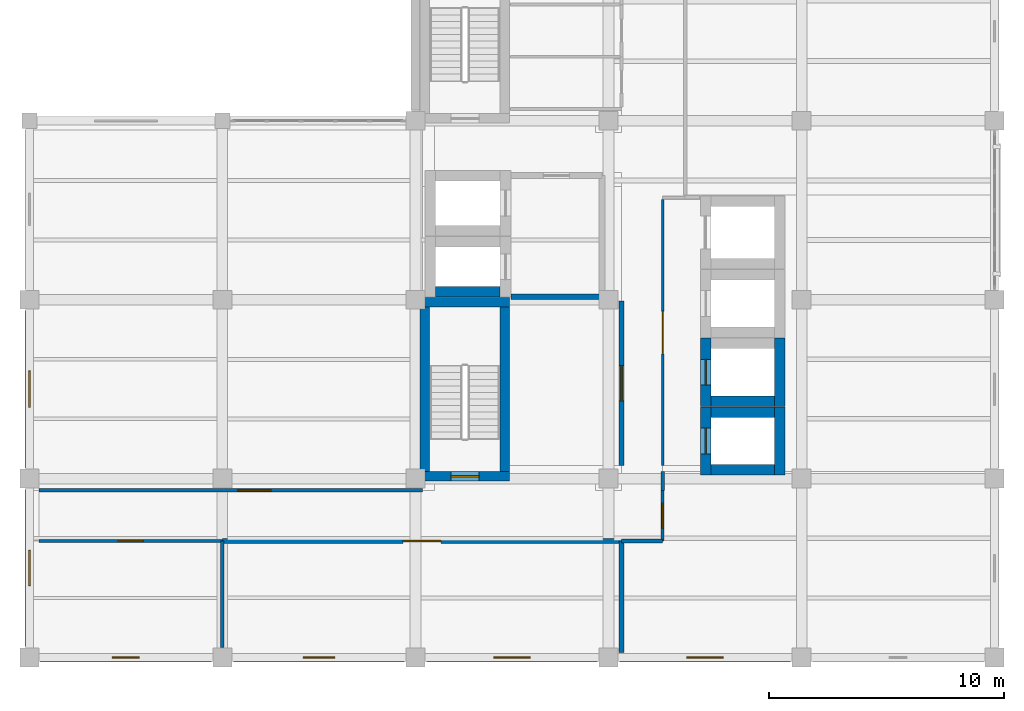
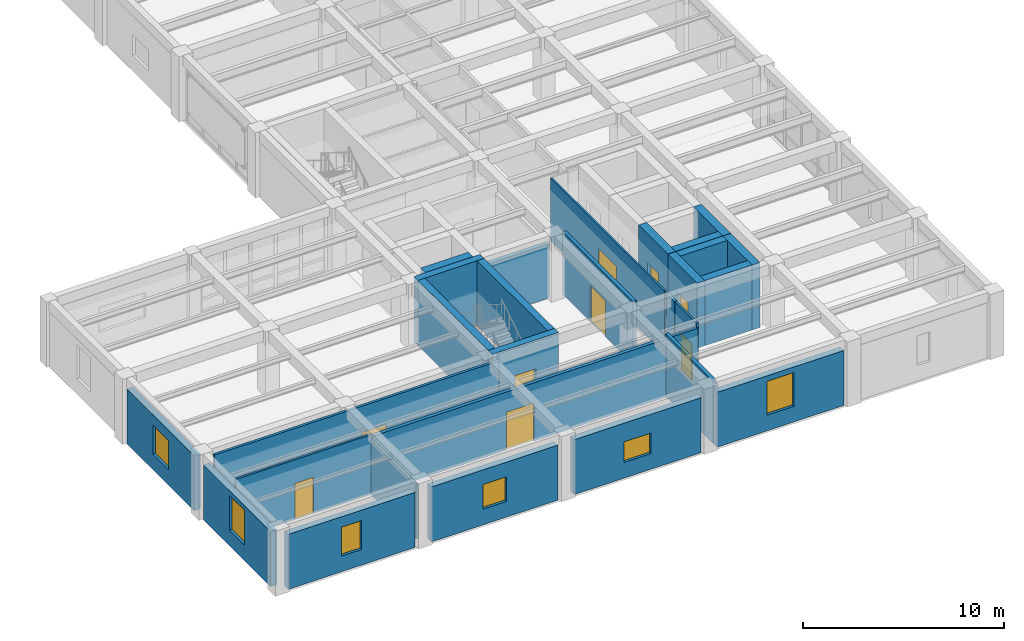
# One storey, part 7 of 13: 29 walls, 9 doors, 6 windows, 15 openings.
"""IFC4 building model written with IfcOpenShell, lengths in metres."""

from ifc_helpers import new_model, si_unit, direction, frame, frame_2d, origin, place, context, subcontext, project, spatial, rectangle, extrude, material, layer, layer_set, type_object, element, fill, save


model = new_model("IFC4")

# Units and contexts
model_context = context("Model", 3, precision=1e-05, world=origin(), true_north=direction((0.0, 1.0)))
body_context = subcontext(model_context, "Body", "Model", "MODEL_VIEW")
ifc_project = project(units=[si_unit("LENGTHUNIT", "METRE"), si_unit("AREAUNIT", "SQUARE_METRE"), si_unit("VOLUMEUNIT", "CUBIC_METRE"), si_unit("PLANEANGLEUNIT", "RADIAN"), si_unit("MASSUNIT", "GRAM", prefix="KILO")], contexts=[model_context])

# Site, building, storey
site_placement = place(None, origin())
site = spatial("IfcSite", under=ifc_project, at=site_placement, CompositionType="ELEMENT")
building_placement = place(site_placement, origin())
building = spatial("IfcBuilding", under=site, at=building_placement, Name="Qandaris Square Conservatory and Botanical Centre", CompositionType="ELEMENT")
storey_placement = place(building_placement, frame((0.0, 0.0, 45.0)))
storey = spatial("IfcBuildingStorey", under=building, at=storey_placement, Name="L10", CompositionType="ELEMENT", Elevation=45.0)

# Walls
ifc_material_1 = material(Name="Gypsum Plasterboard", Category="gypsum")
ifc_layer_1 = layer(ifc_material_1, 0.14990234375)
ifc_layer_set_1 = layer_set([ifc_layer_1], Name="Gypsum Plasterboard")
wall_type_1 = type_object("IfcWallType", Name="Acoustic Laboratory Partition 150mm", PredefinedType="PARTITIONING", material=ifc_layer_set_1)
wall_1_placement = place(storey_placement, frame((149.699951171875, 24.5, 0.0), z_axis=(0.0, 0.0, 1.0), x_axis=(0.0, -1.0, 0.0)))
element("IfcWall", 1, at=wall_1_placement, inside=storey, type_object=wall_type_1, Name="Interior Partition IW-L10-0353", PredefinedType="PARTITIONING", context=body_context, shape_type="SweptSolid", body=[
    extrude(rectangle(XDim=0.800048828125, YDim=0.14990234375, at=frame_2d((0.39990234375, 0.0))), origin(), (0.0, 0.0, 1.0), 3.804931640625),
])
wall_2_placement = place(storey_placement, frame((149.699951171875, 21.550048828125, 0.0), z_axis=(0.0, 0.0, 1.0), x_axis=(-1.0, 0.0, 0.0)))
element("IfcWall", 2, at=wall_2_placement, inside=storey, type_object=wall_type_1, Name="Interior Partition IW-L10-0355", PredefinedType="PARTITIONING", context=body_context, shape_type="SweptSolid", body=[
    extrude(rectangle(XDim=1.75, YDim=0.14990234375, at=frame_2d((0.875, 0.0))), origin(), (0.0, 0.0, 1.0), 3.52490234375),
])

# Wall, opening, door
wall_3_placement = place(storey_placement, frame((123.199951171875, 23.699951171875, 0.0), z_axis=(0.0, 0.0, 1.0), x_axis=(1.0, 0.0, 0.0)))
wall_3 = element("IfcWall", 3, at=wall_3_placement, inside=storey, type_object=wall_type_1, Name="Interior Partition IW-L10-0360", PredefinedType="PARTITIONING", context=body_context, shape_type="SweptSolid", body=[
    extrude(rectangle(XDim=16.300048828125, YDim=0.14990234375, at=frame_2d((8.14990234375, 0.0))), origin(), (0.0, 0.0, 1.0), 3.804931640625),
])
opening_1_placement = place(wall_3_placement, frame((8.452880859375, 0.0, 0.0)))
opening_1 = element("IfcOpeningElement", 4, at=opening_1_placement, cuts=wall_3, Name="Opening D-LAB1", PredefinedType="OPENING", context=body_context, shape_type="SweptSolid", body=[
    extrude(rectangle(XDim=1.39990234375, YDim=2.199951171875, at=frame_2d((0.699951171875, 1.10009765625))), frame((0.0, 0.0869140625, 0.0), z_axis=(0.0, -1.0, 0.0), x_axis=(1.0, 0.0, 0.0)), (0.0, 0.0, 1.0), 0.173828125),
])
ifc_material_2 = material(Name="Engineered Oak Timber", Category="wood")
door_type_1 = type_object("IfcDoorType", Name="Research Laboratory Leaf-and-Half Door 1400x2200", OperationType="DOUBLE_DOOR_SINGLE_SWING", PredefinedType="DOOR", material=ifc_material_2)
door_1_placement = place(opening_1_placement, frame((1.39990234375, 0.0, 0.0), z_axis=(0.0, 0.0, 1.0), x_axis=(-1.0, 0.0, 0.0)))
door_1 = element("IfcDoor", 5, at=door_1_placement, inside=storey, type_object=door_type_1, Name="DR-0320 Quantitative Ecology Research Laboratory Door", OperationType="DOUBLE_DOOR_SINGLE_SWING", OverallHeight=2.199951171875, OverallWidth=1.39990234375, PredefinedType="DOOR", context=body_context, shape_type="SweptSolid", body=[
    extrude(rectangle(XDim=1.39990234375, YDim=2.199951171875, at=frame_2d((0.699951171875, 1.10009765625))), frame((0.0, 0.02490234375, 0.0), z_axis=(0.0, -1.0, 0.0), x_axis=(1.0, 0.0, 0.0)), (0.0, 0.0, 1.0), 0.050048828125),
])
fill(opening_1, door_1)

# Wall
wall_4_placement = place(storey_placement, frame((131.0, 21.550048828125, 0.0), z_axis=(0.0, 0.0, 1.0), x_axis=(0.0, -1.0, 0.0)))
element("IfcWall", 6, at=wall_4_placement, inside=storey, type_object=wall_type_1, Name="Interior Partition IW-L10-0361", PredefinedType="PARTITIONING", context=body_context, shape_type="SweptSolid", body=[
    extrude(rectangle(XDim=4.530029296875, YDim=0.14990234375, at=frame_2d((2.26513671875, 0.0))), origin(), (0.0, 0.0, 1.0), 3.284912109375),
])

# Wall, opening, window
ifc_material_3 = material(Name="Precast concrete C40/50", Category="concrete")
ifc_layer_2 = layer(ifc_material_3, 0.360107421875)
ifc_layer_set_2 = layer_set([ifc_layer_2], Name="Precast concrete C40/50")
wall_type_2 = type_object("IfcWallType", Name="Architectural Precast Cladding Wall 360mm", PredefinedType="SOLIDWALL", material=ifc_layer_set_2)
wall_5_placement = place(storey_placement, frame((123.260009765625, 16.60009765625, 0.0), z_axis=(0.0, 0.0, 1.0), x_axis=(1.0, 0.0, 0.0)))
wall_5 = element("IfcWall", 7, at=wall_5_placement, inside=storey, type_object=wall_type_2, Name="Exterior Wall EW-TWR-L10-1-1", PredefinedType="SOLIDWALL", context=body_context, shape_type="SweptSolid", body=[
    extrude(rectangle(XDim=7.280029296875, YDim=0.360107421875, at=frame_2d((3.64013671875, 0.0))), origin(), (0.0, 0.0, 1.0), 3.3349609375),
])
opening_2_placement = place(wall_5_placement, frame((3.06494140625, 0.0, 0.949951171875)))
opening_2 = element("IfcOpeningElement", 8, at=opening_2_placement, cuts=wall_5, Name="Opening WN-19", PredefinedType="OPENING", context=body_context, shape_type="SweptSolid", body=[
    extrude(rectangle(XDim=1.14990234375, YDim=1.75, at=frame_2d((0.574951171875, 0.875))), frame((0.0, 0.19189453125, 0.0), z_axis=(0.0, -1.0, 0.0), x_axis=(1.0, 0.0, 0.0)), (0.0, 0.0, 1.0), 0.384033203125),
])
ifc_material_4 = material(Name="Tempered Low-E Glass", Category="glass")
window_type_1 = type_object("IfcWindowType", Name="Solar Control Window 1150x1750", PartitioningType="SINGLE_PANEL", PredefinedType="WINDOW", material=ifc_material_4)
window_1_placement = place(opening_2_placement, origin())
window_1 = element("IfcWindow", 9, at=window_1_placement, inside=storey, type_object=window_type_1, Name="Window EW-TWR-L10-1-1", OverallHeight=1.75, OverallWidth=1.14990234375, PartitioningType="SINGLE_PANEL", PredefinedType="WINDOW", context=body_context, shape_type="SweptSolid", body=[
    extrude(rectangle(XDim=1.14990234375, YDim=1.75, at=frame_2d((0.574951171875, 0.875))), frame((0.0, 0.030029296875, 0.0), z_axis=(0.0, -1.0, 0.0), x_axis=(1.0, 0.0, 0.0)), (0.0, 0.0, 1.0), 0.06005859375),
])
fill(opening_2, window_1)

wall_6_placement = place(storey_placement, frame((131.4599609375, 16.60009765625, 0.0), z_axis=(0.0, 0.0, 1.0), x_axis=(1.0, 0.0, 0.0)))
wall_6 = element("IfcWall", 10, at=wall_6_placement, inside=storey, type_object=wall_type_2, Name="Exterior Wall EW-TWR-L10-1-2", PredefinedType="SOLIDWALL", context=body_context, shape_type="SweptSolid", body=[
    extrude(rectangle(XDim=7.280029296875, YDim=0.360107421875, at=frame_2d((3.64013671875, 0.0))), origin(), (0.0, 0.0, 1.0), 3.3349609375),
])
opening_3_placement = place(wall_6_placement, frame((2.965087890625, 0.0, 0.949951171875)))
opening_3 = element("IfcOpeningElement", 11, at=opening_3_placement, cuts=wall_6, Name="Opening WN-22", PredefinedType="OPENING", context=body_context, shape_type="SweptSolid", body=[
    extrude(rectangle(XDim=1.35009765625, YDim=1.5, at=frame_2d((0.675048828125, 0.75))), frame((0.0, 0.19189453125, 0.0), z_axis=(0.0, -1.0, 0.0), x_axis=(1.0, 0.0, 0.0)), (0.0, 0.0, 1.0), 0.384033203125),
])
window_type_2 = type_object("IfcWindowType", Name="Solar Control Window 1350x1500", PartitioningType="SINGLE_PANEL", PredefinedType="WINDOW", material=ifc_material_4)
window_2_placement = place(opening_3_placement, origin())
window_2 = element("IfcWindow", 12, at=window_2_placement, inside=storey, type_object=window_type_2, Name="Window EW-TWR-L10-1-2", OverallHeight=1.5, OverallWidth=1.35009765625, PartitioningType="SINGLE_PANEL", PredefinedType="WINDOW", context=body_context, shape_type="SweptSolid", body=[
    extrude(rectangle(XDim=1.35009765625, YDim=1.5, at=frame_2d((0.675048828125, 0.75))), frame((0.0, 0.030029296875, 0.0), z_axis=(0.0, -1.0, 0.0), x_axis=(1.0, 0.0, 0.0)), (0.0, 0.0, 1.0), 0.06005859375),
])
fill(opening_3, window_2)

wall_7_placement = place(storey_placement, frame((139.659912109375, 16.60009765625, 0.0), z_axis=(0.0, 0.0, 1.0), x_axis=(1.0, 0.0, 0.0)))
wall_7 = element("IfcWall", 13, at=wall_7_placement, inside=storey, type_object=wall_type_2, Name="Exterior Wall EW-TWR-L10-1-3", PredefinedType="SOLIDWALL", context=body_context, shape_type="SweptSolid", body=[
    extrude(rectangle(XDim=7.280029296875, YDim=0.360107421875, at=frame_2d((3.64013671875, 0.0))), origin(), (0.0, 0.0, 1.0), 3.3349609375),
])
opening_4_placement = place(wall_7_placement, frame((2.864990234375, 0.0, 0.949951171875)))
opening_4 = element("IfcOpeningElement", 14, at=opening_4_placement, cuts=wall_7, Name="Opening WN-25", PredefinedType="OPENING", context=body_context, shape_type="SweptSolid", body=[
    extrude(rectangle(XDim=1.550048828125, YDim=1.25, at=frame_2d((0.77490234375, 0.625))), frame((0.0, 0.19189453125, 0.0), z_axis=(0.0, -1.0, 0.0), x_axis=(1.0, 0.0, 0.0)), (0.0, 0.0, 1.0), 0.384033203125),
])
window_type_3 = type_object("IfcWindowType", Name="Solar Control Window 1550x1250", PartitioningType="DOUBLE_PANEL_VERTICAL", PredefinedType="WINDOW", material=ifc_material_4)
window_3_placement = place(opening_4_placement, origin())
window_3 = element("IfcWindow", 15, at=window_3_placement, inside=storey, type_object=window_type_3, Name="Window EW-TWR-L10-1-3", OverallHeight=1.25, OverallWidth=1.550048828125, PartitioningType="DOUBLE_PANEL_VERTICAL", PredefinedType="WINDOW", context=body_context, shape_type="SweptSolid", body=[
    extrude(rectangle(XDim=1.550048828125, YDim=1.25, at=frame_2d((0.77490234375, 0.625))), frame((0.0, 0.030029296875, 0.0), z_axis=(0.0, -1.0, 0.0), x_axis=(1.0, 0.0, 0.0)), (0.0, 0.0, 1.0), 0.06005859375),
])
fill(opening_4, window_3)

wall_8_placement = place(storey_placement, frame((147.860107421875, 16.60009765625, 0.0), z_axis=(0.0, 0.0, 1.0), x_axis=(1.0, 0.0, 0.0)))
wall_8 = element("IfcWall", 16, at=wall_8_placement, inside=storey, type_object=wall_type_2, Name="Exterior Wall EW-TWR-L10-1-4", PredefinedType="SOLIDWALL", context=body_context, shape_type="SweptSolid", body=[
    extrude(rectangle(XDim=7.27978515625, YDim=0.360107421875, at=frame_2d((3.639892578125, 0.0))), origin(), (0.0, 0.0, 1.0), 3.3349609375),
])
opening_5_placement = place(wall_8_placement, frame((2.864990234375, 0.0, 0.949951171875)))
opening_5 = element("IfcOpeningElement", 17, at=opening_5_placement, cuts=wall_8, Name="Opening WN-28", PredefinedType="OPENING", context=body_context, shape_type="SweptSolid", body=[
    extrude(rectangle(XDim=1.550048828125, YDim=2.050048828125, at=frame_2d((0.77490234375, 1.02490234375))), frame((0.0, 0.19189453125, 0.0), z_axis=(0.0, -1.0, 0.0), x_axis=(1.0, 0.0, 0.0)), (0.0, 0.0, 1.0), 0.384033203125),
])
window_type_4 = type_object("IfcWindowType", Name="Solar Control Window 1550x2050", PartitioningType="DOUBLE_PANEL_VERTICAL", PredefinedType="WINDOW", material=ifc_material_4)
window_4_placement = place(opening_5_placement, origin())
window_4 = element("IfcWindow", 18, at=window_4_placement, inside=storey, type_object=window_type_4, Name="Window EW-TWR-L10-1-4", OverallHeight=2.050048828125, OverallWidth=1.550048828125, PartitioningType="DOUBLE_PANEL_VERTICAL", PredefinedType="WINDOW", context=body_context, shape_type="SweptSolid", body=[
    extrude(rectangle(XDim=1.550048828125, YDim=2.050048828125, at=frame_2d((0.77490234375, 1.02490234375))), frame((0.0, 0.030029296875, 0.0), z_axis=(0.0, -1.0, 0.0), x_axis=(1.0, 0.0, 0.0)), (0.0, 0.0, 1.0), 0.06005859375),
])
fill(opening_5, window_4)

wall_9_placement = place(storey_placement, frame((122.800048828125, 31.340087890625, 0.0), z_axis=(0.0, 0.0, 1.0), x_axis=(0.0, -1.0, 0.0)))
wall_9 = element("IfcWall", 19, at=wall_9_placement, inside=storey, type_object=wall_type_2, Name="Exterior Wall EW-TWR-L10-6-2", PredefinedType="SOLIDWALL", context=body_context, shape_type="SweptSolid", body=[
    extrude(rectangle(XDim=6.68017578125, YDim=0.360107421875, at=frame_2d((3.340087890625, 0.0))), origin(), (0.0, 0.0, 1.0), 3.3349609375),
])
opening_6_placement = place(wall_9_placement, frame((2.56494140625, 0.0, 0.949951171875)))
opening_6 = element("IfcOpeningElement", 20, at=opening_6_placement, cuts=wall_9, Name="Opening WN-27", PredefinedType="OPENING", context=body_context, shape_type="SweptSolid", body=[
    extrude(rectangle(XDim=1.550048828125, YDim=1.75, at=frame_2d((0.77490234375, 0.875))), frame((0.0, 0.19189453125, 0.0), z_axis=(0.0, -1.0, 0.0), x_axis=(1.0, 0.0, 0.0)), (0.0, 0.0, 1.0), 0.384033203125),
])
window_type_5 = type_object("IfcWindowType", Name="Solar Control Window 1550x1750", PartitioningType="DOUBLE_PANEL_VERTICAL", PredefinedType="WINDOW", material=ifc_material_4)
window_5_placement = place(opening_6_placement, origin())
window_5 = element("IfcWindow", 21, at=window_5_placement, inside=storey, type_object=window_type_5, Name="Window EW-TWR-L10-6-2", OverallHeight=1.75, OverallWidth=1.550048828125, PartitioningType="DOUBLE_PANEL_VERTICAL", PredefinedType="WINDOW", context=body_context, shape_type="SweptSolid", body=[
    extrude(rectangle(XDim=1.550048828125, YDim=1.75, at=frame_2d((0.77490234375, 0.875))), frame((0.0, 0.030029296875, 0.0), z_axis=(0.0, -1.0, 0.0), x_axis=(1.0, 0.0, 0.0)), (0.0, 0.0, 1.0), 0.06005859375),
])
fill(opening_6, window_5)

wall_10_placement = place(storey_placement, frame((122.800048828125, 23.739990234375, 0.0), z_axis=(0.0, 0.0, 1.0), x_axis=(0.0, -1.0, 0.0)))
wall_10 = element("IfcWall", 22, at=wall_10_placement, inside=storey, type_object=wall_type_2, Name="Exterior Wall EW-TWR-L10-6-3", PredefinedType="SOLIDWALL", context=body_context, shape_type="SweptSolid", body=[
    extrude(rectangle(XDim=6.679931640625, YDim=0.360107421875, at=frame_2d((3.33984375, 0.0))), origin(), (0.0, 0.0, 1.0), 3.3349609375),
])
opening_7_placement = place(wall_10_placement, frame((2.590087890625, 0.0, 0.949951171875)))
opening_7 = element("IfcOpeningElement", 23, at=opening_7_placement, cuts=wall_10, Name="Opening WN-02", PredefinedType="OPENING", context=body_context, shape_type="SweptSolid", body=[
    extrude(rectangle(XDim=1.5, YDim=2.10009765625, at=frame_2d((0.75, 1.050048828125))), frame((0.0, 0.19189453125, 0.0), z_axis=(0.0, -1.0, 0.0), x_axis=(1.0, 0.0, 0.0)), (0.0, 0.0, 1.0), 0.384033203125),
])
window_type_6 = type_object("IfcWindowType", Name="Deep-Set Paired Research Window 1500x2100", PartitioningType="DOUBLE_PANEL_VERTICAL", PredefinedType="WINDOW", material=ifc_material_4)
window_6_placement = place(opening_7_placement, origin())
window_6 = element("IfcWindow", 24, at=window_6_placement, inside=storey, type_object=window_type_6, Name="Window EW-TWR-L10-6-3", OverallHeight=2.10009765625, OverallWidth=1.5, PartitioningType="DOUBLE_PANEL_VERTICAL", PredefinedType="WINDOW", context=body_context, shape_type="SweptSolid", body=[
    extrude(rectangle(XDim=1.5, YDim=2.10009765625, at=frame_2d((0.75, 1.050048828125))), frame((0.0, 0.030029296875, 0.0), z_axis=(0.0, -1.0, 0.0), x_axis=(1.0, 0.0, 0.0)), (0.0, 0.0, 1.0), 0.06005859375),
])
fill(opening_7, window_6)

# Wall
ifc_material_5 = material(Name="Concrete C40/50", Category="concrete")
ifc_layer_3 = layer(ifc_material_5, 0.25)
ifc_layer_set_3 = layer_set([ifc_layer_3], Name="Concrete C40/50")
wall_type_3 = type_object("IfcWallType", Name="Firefighting Lobby Compartment Wall 250mm", PredefinedType="SOLIDWALL", material=ifc_layer_set_3)
wall_11_placement = place(storey_placement, frame((143.25, 31.925048828125, 0.0), z_axis=(0.0, 0.0, 1.0), x_axis=(1.0, 0.0, 0.0)))
element("IfcWall", 25, at=wall_11_placement, inside=storey, type_object=wall_type_3, Name="Firefighting Lobby Wall South (L10)", PredefinedType="SOLIDWALL", context=body_context, shape_type="SweptSolid", body=[
    extrude(rectangle(XDim=3.875, YDim=0.25, at=frame_2d((1.9375, 0.0))), origin(), (0.0, 0.0, 1.0), 3.284912109375),
])

# Wall, opening, door
ifc_layer_4 = layer(ifc_material_4, 0.10009765625)
ifc_layer_set_4 = layer_set([ifc_layer_4], Name="Tempered Low-E Glass")
wall_type_4 = type_object("IfcWallType", Name="Framed Acoustic Glazed Gallery Screen 100mm", PredefinedType="PARTITIONING", material=ifc_layer_set_4)
wall_12_placement = place(storey_placement, frame((149.699951171875, 24.75, 0.0), z_axis=(0.0, 0.0, 1.0), x_axis=(0.0, 1.0, 0.0)))
wall_12 = element("IfcWall", 26, at=wall_12_placement, inside=storey, type_object=wall_type_4, Name="Interior Partition IW-L10-0343", PredefinedType="PARTITIONING", context=body_context, shape_type="SweptSolid", body=[
    extrude(rectangle(XDim=11.300048828125, YDim=0.10009765625, at=frame_2d((5.64990234375, 0.0))), origin(), (0.0, 0.0, 1.0), 3.804931640625),
])
opening_8_placement = place(wall_12_placement, frame((4.75, 0.0, 0.0)))
opening_8 = element("IfcOpeningElement", 27, at=opening_8_placement, cuts=wall_12, Name="Opening D-GL1", PredefinedType="OPENING", context=body_context, shape_type="SweptSolid", body=[
    extrude(rectangle(XDim=1.800048828125, YDim=2.39990234375, at=frame_2d((0.89990234375, 1.199951171875))), frame((0.0, 0.06201171875, 0.0), z_axis=(0.0, -1.0, 0.0), x_axis=(1.0, 0.0, 0.0)), (0.0, 0.0, 1.0), 0.1240234375),
])
ifc_material_6 = material(Name="Anodised Aluminium", Category="aluminium")
door_type_2 = type_object("IfcDoorType", Name="Visitor Gallery Glazed Double Door 1800x2400", OperationType="DOUBLE_DOOR_SINGLE_SWING", PredefinedType="DOOR", material=ifc_material_6)
door_2_placement = place(opening_8_placement, frame((1.800048828125, 0.0, 0.0), z_axis=(0.0, 0.0, 1.0), x_axis=(-1.0, 0.0, 0.0)))
door_2 = element("IfcDoor", 28, at=door_2_placement, inside=storey, type_object=door_type_2, Name="DR-0316 Main Circulation Corridor L10 Door", OperationType="DOUBLE_DOOR_SINGLE_SWING", OverallHeight=2.39990234375, OverallWidth=1.800048828125, PredefinedType="DOOR", context=body_context, shape_type="SweptSolid", body=[
    extrude(rectangle(XDim=1.800048828125, YDim=2.39990234375, at=frame_2d((0.89990234375, 1.199951171875))), frame((0.0, 0.02490234375, 0.0), z_axis=(0.0, -1.0, 0.0), x_axis=(1.0, 0.0, 0.0)), (0.0, 0.0, 1.0), 0.050048828125),
])
fill(opening_8, door_2)

ifc_layer_5 = layer(ifc_material_5, 0.199951171875)
ifc_layer_set_5 = layer_set([ifc_layer_5], Name="Concrete C40/50")
wall_type_5 = type_object("IfcWallType", Name="Herbarium & Plant Compartment Wall 200mm", PredefinedType="PARTITIONING", material=ifc_layer_set_5)
wall_13_placement = place(storey_placement, frame((147.949951171875, 31.75, 0.0), z_axis=(0.0, 0.0, 1.0), x_axis=(0.0, -1.0, 0.0)))
wall_13 = element("IfcWall", 29, at=wall_13_placement, inside=storey, type_object=wall_type_5, Name="Interior Partition IW-L10-0342", PredefinedType="PARTITIONING", context=body_context, shape_type="SweptSolid", body=[
    extrude(rectangle(XDim=7.0, YDim=0.199951171875, at=frame_2d((3.5, 0.0))), origin(), (0.0, 0.0, 1.0), 3.804931640625),
])
opening_9_placement = place(wall_13_placement, frame((2.75, 0.0, 0.0)))
opening_9 = element("IfcOpeningElement", 30, at=opening_9_placement, cuts=wall_13, Name="Opening D-PLT1", PredefinedType="OPENING", context=body_context, shape_type="SweptSolid", body=[
    extrude(rectangle(XDim=1.5, YDim=2.199951171875, at=frame_2d((0.75, 1.10009765625))), frame((0.0, 0.11181640625, 0.0), z_axis=(0.0, -1.0, 0.0), x_axis=(1.0, 0.0, 0.0)), (0.0, 0.0, 1.0), 0.223876953125),
])
ifc_material_7 = material(Name="Steel S355", Category="steel")
door_type_3 = type_object("IfcDoorType", Name="Plant & Riser Double Fire Door 1500x2200", OperationType="DOUBLE_DOOR_SINGLE_SWING", PredefinedType="DOOR", material=ifc_material_7)
door_3_placement = place(opening_9_placement, origin())
door_3 = element("IfcDoor", 31, at=door_3_placement, inside=storey, type_object=door_type_3, Name="DR-0325 Electrical and Telecom Riser Room L10 Door", OperationType="DOUBLE_DOOR_SINGLE_SWING", OverallHeight=2.199951171875, OverallWidth=1.5, PredefinedType="DOOR", context=body_context, shape_type="SweptSolid", body=[
    extrude(rectangle(XDim=1.5, YDim=2.199951171875, at=frame_2d((0.75, 1.10009765625))), frame((0.0, 0.02490234375, 0.0), z_axis=(0.0, -1.0, 0.0), x_axis=(1.0, 0.0, 0.0)), (0.0, 0.0, 1.0), 0.050048828125),
])
fill(opening_9, door_3)

wall_14_placement = place(storey_placement, frame((147.949951171875, 21.550048828125, 0.0), z_axis=(0.0, 0.0, 1.0), x_axis=(-1.0, 0.0, 0.0)))
wall_14 = element("IfcWall", 32, at=wall_14_placement, inside=storey, type_object=wall_type_5, Name="Interior Partition IW-L10-0352", PredefinedType="PARTITIONING", context=body_context, shape_type="SweptSolid", body=[
    extrude(rectangle(XDim=16.949951171875, YDim=0.199951171875, at=frame_2d((8.47509765625, 0.0))), origin(), (0.0, 0.0, 1.0), 3.52490234375),
])
opening_10_placement = place(wall_14_placement, frame((7.675048828125, 0.0, 0.0)))
opening_10 = element("IfcOpeningElement", 33, at=opening_10_placement, cuts=wall_14, Name="Opening D-HRB1", PredefinedType="OPENING", context=body_context, shape_type="SweptSolid", body=[
    extrude(rectangle(XDim=1.60009765625, YDim=2.300048828125, at=frame_2d((0.800048828125, 1.14990234375))), frame((0.0, 0.11181640625, 0.0), z_axis=(0.0, -1.0, 0.0), x_axis=(1.0, 0.0, 0.0)), (0.0, 0.0, 1.0), 0.223876953125),
])
door_type_4 = type_object("IfcDoorType", Name="Herbarium Sealable Specimen Double Door 1600x2300", OperationType="DOUBLE_DOOR_SINGLE_SWING", PredefinedType="DOOR", material=ifc_material_7)
door_4_placement = place(opening_10_placement, frame((1.60009765625, 0.0, 0.0), z_axis=(0.0, 0.0, 1.0), x_axis=(-1.0, 0.0, 0.0)))
door_4 = element("IfcDoor", 34, at=door_4_placement, inside=storey, type_object=door_type_4, Name="DR-0317 Carpology Dormancy Suite Door", OperationType="DOUBLE_DOOR_SINGLE_SWING", OverallHeight=2.300048828125, OverallWidth=1.60009765625, PredefinedType="DOOR", context=body_context, shape_type="SweptSolid", body=[
    extrude(rectangle(XDim=1.60009765625, YDim=2.300048828125, at=frame_2d((0.800048828125, 1.14990234375))), frame((0.0, 0.02490234375, 0.0), z_axis=(0.0, -1.0, 0.0), x_axis=(1.0, 0.0, 0.0)), (0.0, 0.0, 1.0), 0.050048828125),
])
fill(opening_10, door_4)

# Walls
wall_15_placement = place(storey_placement, frame((147.949951171875, 21.550048828125, 0.0), z_axis=(0.0, 0.0, 1.0), x_axis=(0.0, -1.0, 0.0)))
element("IfcWall", 35, at=wall_15_placement, inside=storey, type_object=wall_type_5, Name="Interior Partition IW-L10-0362", PredefinedType="PARTITIONING", context=body_context, shape_type="SweptSolid", body=[
    extrude(rectangle(XDim=4.739990234375, YDim=0.199951171875, at=frame_2d((2.3701171875, 0.0))), origin(), (0.0, 0.0, 1.0), 3.804931640625),
])
ifc_material_8 = material(Name="Concrete C50/60", Category="concrete")
ifc_layer_6 = layer(ifc_material_8, 0.449951171875)
ifc_layer_set_6 = layer_set([ifc_layer_6], Name="Concrete C50/60")
wall_type_6 = type_object("IfcWallType", Name="RC Coupled Core Shear Wall 450mm", PredefinedType="SHEAR", material=ifc_layer_set_6)
wall_16_placement = place(storey_placement, frame((140.06005859375, 32.135009765625, 0.0), z_axis=(0.0, 0.0, 1.0), x_axis=(1.0, 0.0, 0.0)))
element("IfcWall", 36, at=wall_16_placement, inside=storey, type_object=wall_type_6, Name="Lift FFL1 Shaft Wall South (L10)", PredefinedType="SHEAR", context=body_context, shape_type="SweptSolid", body=[
    extrude(rectangle(XDim=2.739990234375, YDim=0.449951171875, at=frame_2d((1.3701171875, 0.0))), origin(), (0.0, 0.0, 1.0), 3.949951171875),
])
for number, where, z_axis, x_axis, name in (
    (37, (151.75, 24.574951171875, 0.0), (0.0, 0.0, 1.0), (1.0, 0.0, 0.0), "Lift PL1 Shaft Wall South (L10)"),
    (38, (151.75, 27.02490234375, 0.0), (0.0, 0.0, 1.0), (1.0, 0.0, 0.0), "Lift PL1 Shaft Wall North (L10)"),
):
    element("IfcWall", number, at=place(storey_placement, frame(where, z_axis=z_axis, x_axis=x_axis)), inside=storey, type_object=wall_type_6, Name=name, PredefinedType="SHEAR", context=body_context, shape_type="SweptSolid", body=[
        extrude(rectangle(XDim=2.699951171875, YDim=0.449951171875, at=frame_2d((1.35009765625, 0.0))), origin(), (0.0, 0.0, 1.0), 3.949951171875),
    ])

# Wall, opening, door
wall_17_placement = place(storey_placement, frame((151.52490234375, 24.35009765625, 0.0), z_axis=(0.0, 0.0, 1.0), x_axis=(0.0, 1.0, 0.0)))
wall_17 = element("IfcWall", 39, at=wall_17_placement, inside=storey, type_object=wall_type_6, Name="Lift PL1 Shaft Wall West (L10)", PredefinedType="SHEAR", context=body_context, shape_type="SweptSolid", body=[
    extrude(rectangle(XDim=2.89990234375, YDim=0.449951171875, at=frame_2d((1.449951171875, 0.0))), origin(), (0.0, 0.0, 1.0), 3.949951171875),
])
opening_11_placement = place(wall_17_placement, frame((0.89990234375, 0.0, 0.0)))
opening_11 = element("IfcOpeningElement", 40, at=opening_11_placement, cuts=wall_17, Name="Opening LD-PAX", PredefinedType="OPENING", context=body_context, shape_type="SweptSolid", body=[
    extrude(rectangle(XDim=1.10009765625, YDim=2.199951171875, at=frame_2d((0.550048828125, 1.10009765625))), frame((0.0, 0.23681640625, 0.0), z_axis=(0.0, -1.0, 0.0), x_axis=(1.0, 0.0, 0.0)), (0.0, 0.0, 1.0), 0.473876953125),
])
door_type_5 = type_object("IfcDoorType", Name="Passenger Lift Sliding Landing Door 1100x2200", OperationType="DOUBLE_DOOR_SLIDING", PredefinedType="DOOR", material=ifc_material_6)
door_5_placement = place(opening_11_placement, origin())
door_5 = element("IfcDoor", 41, at=door_5_placement, inside=storey, type_object=door_type_5, Name="DR-0334 Lift PL1 Landing Door (L10)", OperationType="DOUBLE_DOOR_SLIDING", OverallHeight=2.199951171875, OverallWidth=1.10009765625, PredefinedType="DOOR", context=body_context, shape_type="SweptSolid", body=[
    extrude(rectangle(XDim=1.10009765625, YDim=2.199951171875, at=frame_2d((0.550048828125, 1.10009765625))), frame((0.0, 0.02490234375, 0.0), z_axis=(0.0, -1.0, 0.0), x_axis=(1.0, 0.0, 0.0)), (0.0, 0.0, 1.0), 0.050048828125),
])
fill(opening_11, door_5)

# Walls
wall_18_placement = place(storey_placement, frame((154.675048828125, 24.35009765625, 0.0), z_axis=(0.0, 0.0, 1.0), x_axis=(0.0, 1.0, 0.0)))
element("IfcWall", 42, at=wall_18_placement, inside=storey, type_object=wall_type_6, Name="Lift PL1 Shaft Wall East (L10)", PredefinedType="SHEAR", context=body_context, shape_type="SweptSolid", body=[
    extrude(rectangle(XDim=2.89990234375, YDim=0.449951171875, at=frame_2d((1.449951171875, 0.0))), origin(), (0.0, 0.0, 1.0), 3.949951171875),
])
wall_19_placement = place(storey_placement, frame((151.75, 27.4951171875, 0.0), z_axis=(0.0, 0.0, 1.0), x_axis=(1.0, 0.0, 0.0)))
element("IfcWall", 43, at=wall_19_placement, inside=storey, type_object=wall_type_6, Name="Lift PL2 Shaft Wall South (L10)", PredefinedType="SHEAR", context=body_context, shape_type="SweptSolid", body=[
    extrude(rectangle(XDim=2.699951171875, YDim=0.449951171875, at=frame_2d((1.35009765625, 0.0))), origin(), (0.0, 0.0, 1.0), 3.949951171875),
])

# Wall, opening, door
wall_20_placement = place(storey_placement, frame((151.52490234375, 27.27001953125, 0.0), z_axis=(0.0, 0.0, 1.0), x_axis=(0.0, 1.0, 0.0)))
wall_20 = element("IfcWall", 44, at=wall_20_placement, inside=storey, type_object=wall_type_6, Name="Lift PL2 Shaft Wall West (L10)", PredefinedType="SHEAR", context=body_context, shape_type="SweptSolid", body=[
    extrude(rectangle(XDim=2.89990234375, YDim=0.449951171875, at=frame_2d((1.449951171875, 0.0))), origin(), (0.0, 0.0, 1.0), 3.949951171875),
])
opening_12_placement = place(wall_20_placement, frame((0.89990234375, 0.0, 0.0)))
opening_12 = element("IfcOpeningElement", 45, at=opening_12_placement, cuts=wall_20, Name="Opening LD-PAX", PredefinedType="OPENING", context=body_context, shape_type="SweptSolid", body=[
    extrude(rectangle(XDim=1.10009765625, YDim=2.199951171875, at=frame_2d((0.550048828125, 1.10009765625))), frame((0.0, 0.23681640625, 0.0), z_axis=(0.0, -1.0, 0.0), x_axis=(1.0, 0.0, 0.0)), (0.0, 0.0, 1.0), 0.473876953125),
])
door_6_placement = place(opening_12_placement, origin())
door_6 = element("IfcDoor", 46, at=door_6_placement, inside=storey, type_object=door_type_5, Name="DR-0335 Lift PL2 Landing Door (L10)", OperationType="DOUBLE_DOOR_SLIDING", OverallHeight=2.199951171875, OverallWidth=1.10009765625, PredefinedType="DOOR", context=body_context, shape_type="SweptSolid", body=[
    extrude(rectangle(XDim=1.10009765625, YDim=2.199951171875, at=frame_2d((0.550048828125, 1.10009765625))), frame((0.0, 0.02490234375, 0.0), z_axis=(0.0, -1.0, 0.0), x_axis=(1.0, 0.0, 0.0)), (0.0, 0.0, 1.0), 0.050048828125),
])
fill(opening_12, door_6)

# Wall
wall_21_placement = place(storey_placement, frame((154.675048828125, 27.27001953125, 0.0), z_axis=(0.0, 0.0, 1.0), x_axis=(0.0, 1.0, 0.0)))
element("IfcWall", 47, at=wall_21_placement, inside=storey, type_object=wall_type_6, Name="Lift PL2 Shaft Wall East (L10)", PredefinedType="SHEAR", context=body_context, shape_type="SweptSolid", body=[
    extrude(rectangle(XDim=2.89990234375, YDim=0.449951171875, at=frame_2d((1.449951171875, 0.0))), origin(), (0.0, 0.0, 1.0), 3.949951171875),
])

# Wall, opening, door
ifc_layer_7 = layer(ifc_material_8, 0.39990234375)
ifc_layer_set_7 = layer_set([ifc_layer_7], Name="Concrete C50/60")
wall_type_7 = type_object("IfcWallType", Name="RC Stair Core Shear Wall 400mm", PredefinedType="SHEAR", material=ifc_layer_set_7)
wall_22_placement = place(storey_placement, frame((139.39990234375, 24.300048828125, 0.0), z_axis=(0.0, 0.0, 1.0), x_axis=(1.0, 0.0, 0.0)))
wall_22 = element("IfcWall", 48, at=wall_22_placement, inside=storey, type_object=wall_type_7, Name="ST-1 Core Shear Wall South (L10)", PredefinedType="SHEAR", context=body_context, shape_type="SweptSolid", body=[
    extrude(rectangle(XDim=3.800048828125, YDim=0.39990234375, at=frame_2d((1.89990234375, 0.0))), origin(), (0.0, 0.0, 1.0), 3.949951171875),
])
opening_13_placement = place(wall_22_placement, frame((1.300048828125, 0.0, 0.0)))
opening_13 = element("IfcOpeningElement", 49, at=opening_13_placement, cuts=wall_22, Name="Opening D-ST1", PredefinedType="OPENING", context=body_context, shape_type="SweptSolid", body=[
    extrude(rectangle(XDim=1.199951171875, YDim=2.199951171875, at=frame_2d((0.60009765625, 1.10009765625))), frame((0.0, 0.2119140625, 0.0), z_axis=(0.0, -1.0, 0.0), x_axis=(1.0, 0.0, 0.0)), (0.0, 0.0, 1.0), 0.423828125),
])
door_type_6 = type_object("IfcDoorType", Name="Exit Stair Core Fire Door 1200x2200", OperationType="NOTDEFINED", PredefinedType="DOOR", material=ifc_material_7)
door_7_placement = place(opening_13_placement, origin())
door_7 = element("IfcDoor", 50, at=door_7_placement, inside=storey, type_object=door_type_6, Name="DR-0326 ST-1 Stair Core Door (L10)", OperationType="SINGLE_SWING_RIGHT", OverallHeight=2.199951171875, OverallWidth=1.199951171875, PredefinedType="DOOR", context=body_context, shape_type="SweptSolid", body=[
    extrude(rectangle(XDim=1.199951171875, YDim=2.199951171875, at=frame_2d((0.60009765625, 1.10009765625))), frame((0.0, 0.02490234375, 0.0), z_axis=(0.0, -1.0, 0.0), x_axis=(1.0, 0.0, 0.0)), (0.0, 0.0, 1.0), 0.050048828125),
])
fill(opening_13, door_7)

# Walls
wall_23_placement = place(storey_placement, frame((139.39990234375, 31.699951171875, 0.0), z_axis=(0.0, 0.0, 1.0), x_axis=(1.0, 0.0, 0.0)))
element("IfcWall", 51, at=wall_23_placement, inside=storey, type_object=wall_type_7, Name="ST-1 Core Shear Wall North (L10)", PredefinedType="SHEAR", context=body_context, shape_type="SweptSolid", body=[
    extrude(rectangle(XDim=3.800048828125, YDim=0.39990234375, at=frame_2d((1.89990234375, 0.0))), origin(), (0.0, 0.0, 1.0), 3.949951171875),
])
for number, where, z_axis, x_axis, name in (
    (52, (139.60009765625, 24.5, 0.0), (0.0, 0.0, 1.0), (0.0, 1.0, 0.0), "ST-1 Core Shear Wall West (L10)"),
    (53, (143.0, 24.5, 0.0), (0.0, 0.0, 1.0), (0.0, 1.0, 0.0), "ST-1 Core Shear Wall East (L10)"),
):
    element("IfcWall", number, at=place(storey_placement, frame(where, z_axis=z_axis, x_axis=x_axis)), inside=storey, type_object=wall_type_7, Name=name, PredefinedType="SHEAR", context=body_context, shape_type="SweptSolid", body=[
        extrude(rectangle(XDim=7.0, YDim=0.39990234375, at=frame_2d((3.5, 0.0))), origin(), (0.0, 0.0, 1.0), 3.949951171875),
    ])

# Wall, opening, door
ifc_layer_8 = layer(ifc_material_1, 0.1201171875)
ifc_layer_set_8 = layer_set([ifc_layer_8], Name="Gypsum Plasterboard")
wall_type_8 = type_object("IfcWallType", Name="Standard Research Partition 120mm", PredefinedType="PARTITIONING", material=ifc_layer_set_8)
wall_24_placement = place(storey_placement, frame((131.0, 21.550048828125, 0.0), z_axis=(0.0, 0.0, 1.0), x_axis=(-1.0, 0.0, 0.0)))
wall_24 = element("IfcWall", 54, at=wall_24_placement, inside=storey, type_object=wall_type_8, Name="Interior Partition IW-L10-0351", PredefinedType="PARTITIONING", context=body_context, shape_type="SweptSolid", body=[
    extrude(rectangle(XDim=7.800048828125, YDim=0.1201171875, at=frame_2d((3.89990234375, 0.0))), origin(), (0.0, 0.0, 1.0), 3.625),
])
opening_14_placement = place(wall_24_placement, frame((3.375, 0.0, 0.0)))
opening_14 = element("IfcOpeningElement", 55, at=opening_14_placement, cuts=wall_24, Name="Opening D-LAB2", PredefinedType="OPENING", context=body_context, shape_type="SweptSolid", body=[
    extrude(rectangle(XDim=1.050048828125, YDim=2.199951171875, at=frame_2d((0.52490234375, 1.10009765625))), frame((0.0, 0.072021484375, 0.0), z_axis=(0.0, -1.0, 0.0), x_axis=(1.0, 0.0, 0.0)), (0.0, 0.0, 1.0), 0.14404296875),
])
door_type_7 = type_object("IfcDoorType", Name="Analytical Laboratory Single Door 1050x2200", OperationType="NOTDEFINED", PredefinedType="DOOR", material=ifc_material_2)
door_8_placement = place(opening_14_placement, origin())
door_8 = element("IfcDoor", 56, at=door_8_placement, inside=storey, type_object=door_type_7, Name="DR-0321 Medicinal Flora Research Laboratory Door", OperationType="SINGLE_SWING_LEFT", OverallHeight=2.199951171875, OverallWidth=1.050048828125, PredefinedType="DOOR", context=body_context, shape_type="SweptSolid", body=[
    extrude(rectangle(XDim=1.050048828125, YDim=2.199951171875, at=frame_2d((0.52490234375, 1.10009765625))), frame((0.0, 0.02490234375, 0.0), z_axis=(0.0, -1.0, 0.0), x_axis=(1.0, 0.0, 0.0)), (0.0, 0.0, 1.0), 0.050048828125),
])
fill(opening_14, door_8)

wall_25_placement = place(storey_placement, frame((149.699951171875, 23.699951171875, 0.0), z_axis=(0.0, 0.0, 1.0), x_axis=(0.0, -1.0, 0.0)))
wall_25 = element("IfcWall", 57, at=wall_25_placement, inside=storey, type_object=wall_type_8, Name="Interior Partition IW-L10-0354", PredefinedType="PARTITIONING", context=body_context, shape_type="SweptSolid", body=[
    extrude(rectangle(XDim=2.14990234375, YDim=0.1201171875, at=frame_2d((1.074951171875, 0.0))), origin(), (0.0, 0.0, 1.0), 3.804931640625),
])
opening_15_placement = place(wall_25_placement, frame((0.550048828125, 0.0, 0.0)))
opening_15 = element("IfcOpeningElement", 58, at=opening_15_placement, cuts=wall_25, Name="Opening D-LAB2", PredefinedType="OPENING", context=body_context, shape_type="SweptSolid", body=[
    extrude(rectangle(XDim=1.050048828125, YDim=2.199951171875, at=frame_2d((0.52490234375, 1.10009765625))), frame((0.0, 0.072021484375, 0.0), z_axis=(0.0, -1.0, 0.0), x_axis=(1.0, 0.0, 0.0)), (0.0, 0.0, 1.0), 0.14404296875),
])
door_9_placement = place(opening_15_placement, origin())
door_9 = element("IfcDoor", 59, at=door_9_placement, inside=storey, type_object=door_type_7, Name="DR-0322 Floor L10 Instrument and Balance Room Door", OperationType="SINGLE_SWING_RIGHT", OverallHeight=2.199951171875, OverallWidth=1.050048828125, PredefinedType="DOOR", context=body_context, shape_type="SweptSolid", body=[
    extrude(rectangle(XDim=1.050048828125, YDim=2.199951171875, at=frame_2d((0.52490234375, 1.10009765625))), frame((0.0, 0.02490234375, 0.0), z_axis=(0.0, -1.0, 0.0), x_axis=(1.0, 0.0, 0.0)), (0.0, 0.0, 1.0), 0.050048828125),
])
fill(opening_15, door_9)

save(model, "model.ifc")
